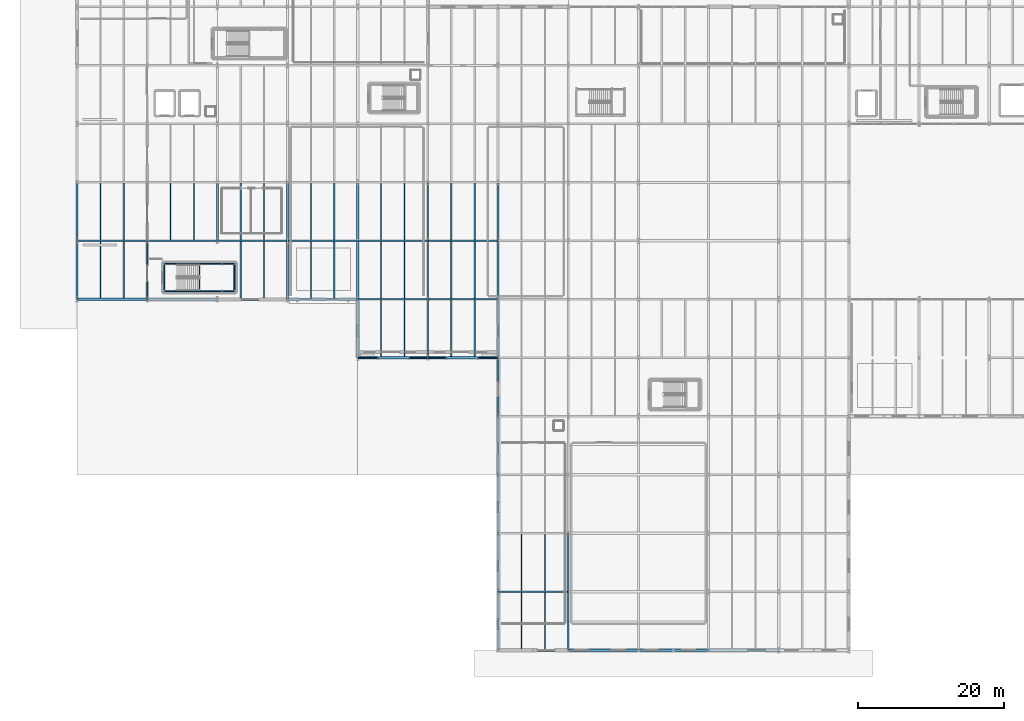
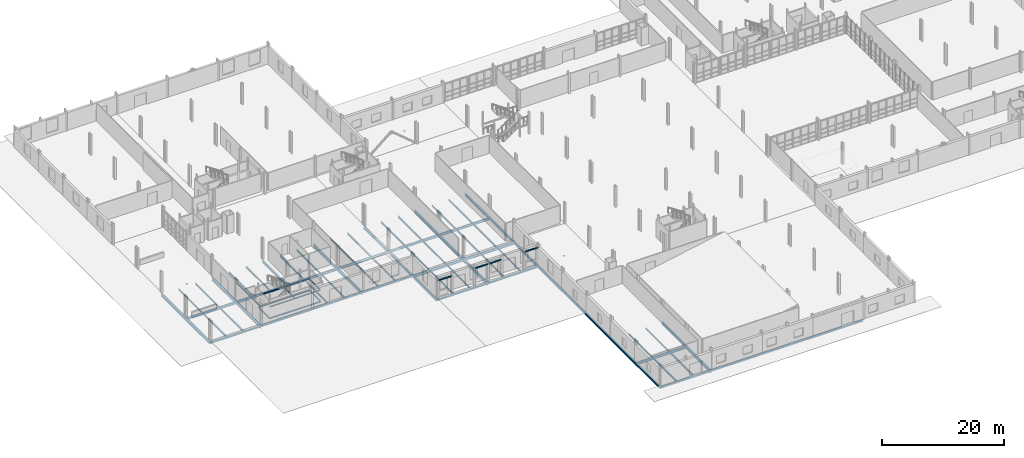
# One storey, part 30 of 78: 85 beams.
"""IFC4 building model written with IfcOpenShell, lengths in metres."""

from ifc_helpers import new_model, si_unit, direction, frame, origin, origin_2d, place, context, subcontext, project, spatial, i_section, extrude, material, material_profile, profile_set, type_object, element, save


model = new_model("IFC4")

# Units and contexts
model_context = context("Model", 3, precision=1e-05, world=origin(), true_north=direction((0.0, 1.0)))
body_context = subcontext(model_context, "Body", "Model", "MODEL_VIEW")
ifc_project = project(units=[si_unit("LENGTHUNIT", "METRE"), si_unit("AREAUNIT", "SQUARE_METRE"), si_unit("VOLUMEUNIT", "CUBIC_METRE"), si_unit("PLANEANGLEUNIT", "RADIAN"), si_unit("MASSUNIT", "GRAM", prefix="KILO")], contexts=[model_context])

# Site, building, storey
site_placement = place(None, origin())
site = spatial("IfcSite", under=ifc_project, at=site_placement, CompositionType="ELEMENT")
building_placement = place(site_placement, origin())
building = spatial("IfcBuilding", under=site, at=building_placement, Name="Alderhovde Museum", CompositionType="ELEMENT")
storey_placement = place(building_placement, origin())
storey = spatial("IfcBuildingStorey", under=building, at=storey_placement, Name="L00", CompositionType="ELEMENT", Elevation=0.0)

# Beams
ifc_material_1 = material(Name="Steel S355J2", Category="steel")
ifc_material_profile_1 = material_profile(ifc_material_1, i_section(OverallWidth=0.300048828125, OverallDepth=0.389892578125, WebThickness=0.010986328125, FlangeThickness=0.01904296875, FilletRadius=0.027099609375, at=origin_2d()), Name="HEA 400")
ifc_profile_set_1 = profile_set([ifc_material_profile_1], Name="Steel S355J2")
beam_type_1 = type_object("IfcBeamType", Name="BM-HEA400", PredefinedType="BEAM", material=ifc_profile_set_1)
for number, where, z_axis, x_axis, name in (
    (1, (9.60009765625, 48.0, -0.47509765625), (0.0, 1.0, 0.0), (-1.0, 0.0, 0.0), "L00 Grid Beam X=9.6 (48.0 TO 56.0)"),
    (2, (9.60009765625, 56.0, -0.47509765625), (0.0, 1.0, 0.0), (-1.0, 0.0, 0.0), "L00 Grid Beam X=9.6 (56.0 TO 64.0)"),
    (3, (28.800048828125, 56.0, -0.47509765625), (0.0, 1.0, 0.0), (-1.0, 0.0, 0.0), "L00 Grid Beam X=28.8 (56.0 TO 64.0)"),
    (4, (48.0, 40.0, -0.47509765625), (0.0, 1.0, 0.0), (-1.0, 0.0, 0.0), "L00 Grid Beam X=48.0 (40.0 TO 48.0)"),
    (5, (48.0, 48.0, -0.47509765625), (0.0, 1.0, 0.0), (-1.0, 0.0, 0.0), "L00 Grid Beam X=48.0 (48.0 TO 56.0)"),
    (6, (48.0, 56.0, -0.47509765625), (0.0, 1.0, 0.0), (-1.0, 0.0, 0.0), "L00 Grid Beam X=48.0 (56.0 TO 64.0)"),
    (7, (67.199951171875, 0.0, -0.47509765625), (0.0, 1.0, 0.0), (-1.0, 0.0, 0.0), "L00 Grid Beam X=67.2 (0.0 TO 8.0)"),
    (8, (67.199951171875, 8.0, -0.47509765625), (0.0, 1.0, 0.0), (-1.0, 0.0, 0.0), "L00 Grid Beam X=67.2 (8.0 TO 16.0)"),
    (9, (67.199951171875, 16.0, -0.47509765625), (0.0, 1.0, 0.0), (-1.0, 0.0, 0.0), "L00 Grid Beam X=67.2 (16.0 TO 24.0)"),
    (10, (67.199951171875, 24.0, -0.47509765625), (0.0, 1.0, 0.0), (-1.0, 0.0, 0.0), "L00 Grid Beam X=67.2 (24.0 TO 32.0)"),
    (11, (67.199951171875, 32.0, -0.47509765625), (0.0, 1.0, 0.0), (-1.0, 0.0, 0.0), "L00 Grid Beam X=67.2 (32.0 TO 40.0)"),
    (12, (67.199951171875, 40.0, -0.47509765625), (0.0, 1.0, 0.0), (-1.0, 0.0, 0.0), "L00 Grid Beam X=67.2 (40.0 TO 48.0)"),
    (13, (67.199951171875, 48.0, -0.47509765625), (0.0, 1.0, 0.0), (-1.0, 0.0, 0.0), "L00 Grid Beam X=67.2 (48.0 TO 56.0)"),
    (14, (67.199951171875, 56.0, -0.47509765625), (0.0, 1.0, 0.0), (-1.0, 0.0, 0.0), "L00 Grid Beam X=67.2 (56.0 TO 64.0)"),
):
    element("IfcBeam", number, at=place(storey_placement, frame(where, z_axis=z_axis, x_axis=x_axis)), inside=storey, type_object=beam_type_1, Name=name, PredefinedType="BEAM", context=body_context, shape_type="SweptSolid", body=[
        extrude(i_section(OverallWidth=0.300048828125, OverallDepth=0.389892578125, WebThickness=0.010986328125, FlangeThickness=0.01904296875, FilletRadius=0.027099609375, at=origin_2d()), origin(), (0.0, 0.0, 1.0), 8.0),
    ])
ifc_material_2 = material(Name="Steel S355J2", Category="steel")
ifc_material_profile_2 = material_profile(ifc_material_2, i_section(OverallWidth=0.1201171875, OverallDepth=0.239990234375, WebThickness=0.006103515625, FlangeThickness=0.009765625, FilletRadius=0.014892578125, at=origin_2d()), Name="IPE 240")
ifc_profile_set_2 = profile_set([ifc_material_profile_2], Name="Steel S355J2")
beam_type_2 = type_object("IfcBeamType", Name="BM-IPE240", PredefinedType="BEAM", material=ifc_profile_set_2)
for number, where, z_axis, x_axis, name in (
    (15, (21.52001953125, 49.1201171875, -0.39990234375), (1.0, 0.0, 0.0), (0.0, 1.0, 0.0), "L00 Stair ST1 Floor Trimmer S"),
    (16, (21.52001953125, 52.840087890625, -0.39990234375), (1.0, 0.0, 0.0), (0.0, 1.0, 0.0), "L00 Stair ST1 Floor Trimmer N"),
):
    element("IfcBeam", number, at=place(storey_placement, frame(where, z_axis=z_axis, x_axis=x_axis)), inside=storey, type_object=beam_type_2, Name=name, PredefinedType="BEAM", context=body_context, shape_type="SweptSolid", body=[
        extrude(i_section(OverallWidth=0.1201171875, OverallDepth=0.239990234375, WebThickness=0.006103515625, FlangeThickness=0.009765625, FilletRadius=0.014892578125, at=origin_2d()), origin(), (0.0, 0.0, 1.0), 9.679931640625),
    ])
for number, where, z_axis, x_axis, name in (
    (17, (21.52001953125, 49.1201171875, -0.39990234375), (0.0, 1.0, 0.0), (-1.0, 0.0, 0.0), "L00 Stair ST1 Floor Trimmer W"),
    (18, (31.199951171875, 49.1201171875, -0.39990234375), (0.0, 1.0, 0.0), (-1.0, 0.0, 0.0), "L00 Stair ST1 Floor Trimmer E"),
):
    element("IfcBeam", number, at=place(storey_placement, frame(where, z_axis=z_axis, x_axis=x_axis)), inside=storey, type_object=beam_type_2, Name=name, PredefinedType="BEAM", context=body_context, shape_type="SweptSolid", body=[
        extrude(i_section(OverallWidth=0.1201171875, OverallDepth=0.239990234375, WebThickness=0.006103515625, FlangeThickness=0.009765625, FilletRadius=0.014892578125, at=origin_2d()), origin(), (0.0, 0.0, 1.0), 3.719970703125),
    ])
for number, where, z_axis, x_axis, name in (
    (19, (21.52001953125, 49.1201171875, 1.929931640625), (1.0, 0.0, 0.0), (0.0, 1.0, 0.0), "L00 Stair ST1 Landing 1 Beam S"),
    (20, (21.52001953125, 52.840087890625, 1.929931640625), (1.0, 0.0, 0.0), (0.0, 1.0, 0.0), "L00 Stair ST1 Landing 1 Beam N"),
):
    element("IfcBeam", number, at=place(storey_placement, frame(where, z_axis=z_axis, x_axis=x_axis)), inside=storey, type_object=beam_type_2, Name=name, PredefinedType="BEAM", context=body_context, shape_type="SweptSolid", body=[
        extrude(i_section(OverallWidth=0.1201171875, OverallDepth=0.239990234375, WebThickness=0.006103515625, FlangeThickness=0.009765625, FilletRadius=0.014892578125, at=origin_2d()), origin(), (0.0, 0.0, 1.0), 9.679931640625),
    ])
for number, where, z_axis, x_axis, name in (
    (21, (26.360107421875, 49.1201171875, 1.929931640625), (0.0, 1.0, 0.0), (-1.0, 0.0, 0.0), "L00 Stair ST1 Landing 1 Beam W"),
    (22, (31.1201171875, 49.1201171875, 1.929931640625), (0.0, 1.0, 0.0), (-1.0, 0.0, 0.0), "L00 Stair ST1 Landing 1 Beam E"),
):
    element("IfcBeam", number, at=place(storey_placement, frame(where, z_axis=z_axis, x_axis=x_axis)), inside=storey, type_object=beam_type_2, Name=name, PredefinedType="BEAM", context=body_context, shape_type="SweptSolid", body=[
        extrude(i_section(OverallWidth=0.1201171875, OverallDepth=0.239990234375, WebThickness=0.006103515625, FlangeThickness=0.009765625, FilletRadius=0.014892578125, at=origin_2d()), origin(), (0.0, 0.0, 1.0), 3.719970703125),
    ])
ifc_material_3 = material(Name="Steel S355J2", Category="steel")
ifc_material_profile_3 = material_profile(ifc_material_3, i_section(OverallWidth=0.199951171875, OverallDepth=0.5, WebThickness=0.01025390625, FlangeThickness=0.01611328125, FilletRadius=0.02099609375, at=origin_2d()), Name="IPE 500")
ifc_profile_set_3 = profile_set([ifc_material_profile_3], Name="Steel S355J2")
beam_type_3 = type_object("IfcBeamType", Name="BM-IPE500", PredefinedType="BEAM", material=ifc_profile_set_3)
beam_1_placement = place(storey_placement, frame((67.199951171875, 8.0, -0.530029296875), z_axis=(1.0, 0.0, 0.0), x_axis=(0.0, 1.0, 0.0)))
element("IfcBeam", 23, at=beam_1_placement, inside=storey, type_object=beam_type_3, Name="L00 Grid Beam Y=8.0 (67.2 TO 76.8)", PredefinedType="BEAM", context=body_context, shape_type="SweptSolid", body=[
    extrude(i_section(OverallWidth=0.199951171875, OverallDepth=0.5, WebThickness=0.01025390625, FlangeThickness=0.01611328125, FilletRadius=0.02099609375, at=origin_2d()), origin(), (0.0, 0.0, 1.0), 9.60009765625),
])
beam_2_placement = place(storey_placement, frame((9.60009765625, 56.0, -0.530029296875), z_axis=(1.0, 0.0, 0.0), x_axis=(0.0, 1.0, 0.0)))
element("IfcBeam", 24, at=beam_2_placement, inside=storey, type_object=beam_type_3, Name="L00 Grid Beam Y=56.0 (9.6 TO 19.2)", PredefinedType="BEAM", context=body_context, shape_type="SweptSolid", body=[
    extrude(i_section(OverallWidth=0.199951171875, OverallDepth=0.5, WebThickness=0.01025390625, FlangeThickness=0.01611328125, FilletRadius=0.02099609375, at=origin_2d()), origin(), (0.0, 0.0, 1.0), 9.599853515625),
])
beam_3_placement = place(storey_placement, frame((19.199951171875, 56.0, -0.530029296875), z_axis=(1.0, 0.0, 0.0), x_axis=(0.0, 1.0, 0.0)))
element("IfcBeam", 25, at=beam_3_placement, inside=storey, type_object=beam_type_3, Name="L00 Grid Beam Y=56.0 (19.2 TO 28.8)", PredefinedType="BEAM", context=body_context, shape_type="SweptSolid", body=[
    extrude(i_section(OverallWidth=0.199951171875, OverallDepth=0.5, WebThickness=0.01025390625, FlangeThickness=0.01611328125, FilletRadius=0.02099609375, at=origin_2d()), origin(), (0.0, 0.0, 1.0), 9.60009765625),
])
beam_4_placement = place(storey_placement, frame((28.800048828125, 56.0, -0.530029296875), z_axis=(1.0, 0.0, 0.0), x_axis=(0.0, 1.0, 0.0)))
element("IfcBeam", 26, at=beam_4_placement, inside=storey, type_object=beam_type_3, Name="L00 Grid Beam Y=56.0 (28.8 TO 38.4)", PredefinedType="BEAM", context=body_context, shape_type="SweptSolid", body=[
    extrude(i_section(OverallWidth=0.199951171875, OverallDepth=0.5, WebThickness=0.01025390625, FlangeThickness=0.01611328125, FilletRadius=0.02099609375, at=origin_2d()), origin(), (0.0, 0.0, 1.0), 9.599853515625),
])
for number, where, z_axis, x_axis, name in (
    (27, (38.39990234375, 56.0, -0.530029296875), (1.0, 0.0, 0.0), (0.0, 1.0, 0.0), "L00 Grid Beam Y=56.0 (38.4 TO 48.0)"),
    (28, (48.0, 56.0, -0.530029296875), (1.0, 0.0, 0.0), (0.0, 1.0, 0.0), "L00 Grid Beam Y=56.0 (48.0 TO 57.6)"),
):
    element("IfcBeam", number, at=place(storey_placement, frame(where, z_axis=z_axis, x_axis=x_axis)), inside=storey, type_object=beam_type_3, Name=name, PredefinedType="BEAM", context=body_context, shape_type="SweptSolid", body=[
        extrude(i_section(OverallWidth=0.199951171875, OverallDepth=0.5, WebThickness=0.01025390625, FlangeThickness=0.01611328125, FilletRadius=0.02099609375, at=origin_2d()), origin(), (0.0, 0.0, 1.0), 9.60009765625),
    ])
beam_5_placement = place(storey_placement, frame((57.60009765625, 56.0, -0.530029296875), z_axis=(1.0, 0.0, 0.0), x_axis=(0.0, 1.0, 0.0)))
element("IfcBeam", 29, at=beam_5_placement, inside=storey, type_object=beam_type_3, Name="L00 Grid Beam Y=56.0 (57.6 TO 67.2)", PredefinedType="BEAM", context=body_context, shape_type="SweptSolid", body=[
    extrude(i_section(OverallWidth=0.199951171875, OverallDepth=0.5, WebThickness=0.01025390625, FlangeThickness=0.01611328125, FilletRadius=0.02099609375, at=origin_2d()), origin(), (0.0, 0.0, 1.0), 9.599853515625),
])
ifc_material_4 = material(Name="Steel S355J2", Category="steel")
ifc_material_profile_4 = material_profile(ifc_material_4, i_section(OverallWidth=0.2099609375, OverallDepth=0.550048828125, WebThickness=0.010986328125, FlangeThickness=0.01708984375, FilletRadius=0.02392578125, at=origin_2d()), Name="IPE 550")
ifc_profile_set_4 = profile_set([ifc_material_profile_4], Name="Steel S355J2")
beam_type_4 = type_object("IfcBeamType", Name="BM-IPE550", PredefinedType="BEAM", material=ifc_profile_set_4)
beam_6_placement = place(storey_placement, frame((48.0, 48.0, -0.554931640625), z_axis=(1.0, 0.0, 0.0), x_axis=(0.0, 1.0, 0.0)))
element("IfcBeam", 30, at=beam_6_placement, inside=storey, type_object=beam_type_4, Name="L00 Grid Beam Y=48.0 (48.0 TO 57.6)", PredefinedType="BEAM", context=body_context, shape_type="SweptSolid", body=[
    extrude(i_section(OverallWidth=0.2099609375, OverallDepth=0.550048828125, WebThickness=0.010986328125, FlangeThickness=0.01708984375, FilletRadius=0.02392578125, at=origin_2d()), origin(), (0.0, 0.0, 1.0), 9.60009765625),
])
beam_7_placement = place(storey_placement, frame((57.60009765625, 48.0, -0.554931640625), z_axis=(1.0, 0.0, 0.0), x_axis=(0.0, 1.0, 0.0)))
element("IfcBeam", 31, at=beam_7_placement, inside=storey, type_object=beam_type_4, Name="L00 Grid Beam Y=48.0 (57.6 TO 67.2)", PredefinedType="BEAM", context=body_context, shape_type="SweptSolid", body=[
    extrude(i_section(OverallWidth=0.2099609375, OverallDepth=0.550048828125, WebThickness=0.010986328125, FlangeThickness=0.01708984375, FilletRadius=0.02392578125, at=origin_2d()), origin(), (0.0, 0.0, 1.0), 9.599853515625),
])
ifc_material_5 = material(Name="Steel S355J2", Category="steel")
ifc_material_profile_5 = material_profile(ifc_material_5, i_section(OverallWidth=0.219970703125, OverallDepth=0.60009765625, WebThickness=0.011962890625, FlangeThickness=0.01904296875, FilletRadius=0.02392578125, at=origin_2d()), Name="IPE 600")
ifc_profile_set_5 = profile_set([ifc_material_profile_5], Name="Steel S355J2")
beam_type_5 = type_object("IfcBeamType", Name="BM-IPE600", PredefinedType="BEAM", material=ifc_profile_set_5)
for number, where, z_axis, x_axis, name in (
    (32, (19.199951171875, 48.0, -0.580078125), (0.0, 1.0, 0.0), (-1.0, 0.0, 0.0), "L00 Grid Beam X=19.2 (48.0 TO 56.0)"),
    (33, (19.199951171875, 56.0, -0.580078125), (0.0, 1.0, 0.0), (-1.0, 0.0, 0.0), "L00 Grid Beam X=19.2 (56.0 TO 64.0)"),
    (34, (38.39990234375, 48.0, -0.580078125), (0.0, 1.0, 0.0), (-1.0, 0.0, 0.0), "L00 Grid Beam X=38.4 (48.0 TO 56.0)"),
    (35, (38.39990234375, 56.0, -0.580078125), (0.0, 1.0, 0.0), (-1.0, 0.0, 0.0), "L00 Grid Beam X=38.4 (56.0 TO 64.0)"),
    (36, (57.60009765625, 40.0, -0.580078125), (0.0, 1.0, 0.0), (-1.0, 0.0, 0.0), "L00 Grid Beam X=57.6 (40.0 TO 48.0)"),
    (37, (57.60009765625, 48.0, -0.580078125), (0.0, 1.0, 0.0), (-1.0, 0.0, 0.0), "L00 Grid Beam X=57.6 (48.0 TO 56.0)"),
    (38, (57.60009765625, 56.0, -0.580078125), (0.0, 1.0, 0.0), (-1.0, 0.0, 0.0), "L00 Grid Beam X=57.6 (56.0 TO 64.0)"),
    (39, (76.800048828125, 0.0, -0.580078125), (0.0, 1.0, 0.0), (-1.0, 0.0, 0.0), "L00 Grid Beam X=76.8 (0.0 TO 8.0)"),
    (40, (76.800048828125, 8.0, -0.580078125), (0.0, 1.0, 0.0), (-1.0, 0.0, 0.0), "L00 Grid Beam X=76.8 (8.0 TO 16.0)"),
):
    element("IfcBeam", number, at=place(storey_placement, frame(where, z_axis=z_axis, x_axis=x_axis)), inside=storey, type_object=beam_type_5, Name=name, PredefinedType="BEAM", context=body_context, shape_type="SweptSolid", body=[
        extrude(i_section(OverallWidth=0.219970703125, OverallDepth=0.60009765625, WebThickness=0.011962890625, FlangeThickness=0.01904296875, FilletRadius=0.02392578125, at=origin_2d()), origin(), (0.0, 0.0, 1.0), 8.0),
    ])
ifc_material_6 = material(Name="Steel S355J2", Category="steel")
ifc_material_profile_6 = material_profile(ifc_material_6, i_section(OverallWidth=0.159912109375, OverallDepth=0.330078125, WebThickness=0.007568359375, FlangeThickness=0.011474609375, FilletRadius=0.01806640625, at=origin_2d()), Name="IPE 330")
ifc_profile_set_6 = profile_set([ifc_material_profile_6], Name="Steel S355J2")
beam_type_6 = type_object("IfcBeamType", Name="JST-IPE330", PredefinedType="JOIST", material=ifc_profile_set_6)
for number, where, z_axis, x_axis, name in (
    (41, (12.800048828125, 48.14990234375, -0.445068359375), (0.0, 1.0, 0.0), (-1.0, 0.0, 0.0), "L00 Composite Joist X=12.8 (48.0 TO 56.0)"),
    (42, (16.0, 48.14990234375, -0.445068359375), (0.0, 1.0, 0.0), (-1.0, 0.0, 0.0), "L00 Composite Joist X=16.0 (48.0 TO 56.0)"),
):
    element("IfcBeam", number, at=place(storey_placement, frame(where, z_axis=z_axis, x_axis=x_axis)), inside=storey, type_object=beam_type_6, Name=name, PredefinedType="JOIST", context=body_context, shape_type="SweptSolid", body=[
        extrude(i_section(OverallWidth=0.159912109375, OverallDepth=0.330078125, WebThickness=0.007568359375, FlangeThickness=0.011474609375, FilletRadius=0.01806640625, at=origin_2d()), origin(), (0.0, 0.0, 1.0), 7.75),
    ])
for number, where, z_axis, x_axis, name in (
    (43, (12.800048828125, 56.10009765625, -0.445068359375), (0.0, 1.0, 0.0), (-1.0, 0.0, 0.0), "L00 Composite Joist X=12.8 (56.0 TO 64.0)"),
    (44, (16.0, 56.10009765625, -0.445068359375), (0.0, 1.0, 0.0), (-1.0, 0.0, 0.0), "L00 Composite Joist X=16.0 (56.0 TO 64.0)"),
    (45, (22.39990234375, 56.10009765625, -0.445068359375), (0.0, 1.0, 0.0), (-1.0, 0.0, 0.0), "L00 Composite Joist X=22.4 (56.0 TO 64.0)"),
    (46, (25.60009765625, 56.10009765625, -0.445068359375), (0.0, 1.0, 0.0), (-1.0, 0.0, 0.0), "L00 Composite Joist X=25.6 (56.0 TO 64.0)"),
):
    element("IfcBeam", number, at=place(storey_placement, frame(where, z_axis=z_axis, x_axis=x_axis)), inside=storey, type_object=beam_type_6, Name=name, PredefinedType="JOIST", context=body_context, shape_type="SweptSolid", body=[
        extrude(i_section(OverallWidth=0.159912109375, OverallDepth=0.330078125, WebThickness=0.007568359375, FlangeThickness=0.011474609375, FilletRadius=0.01806640625, at=origin_2d()), origin(), (0.0, 0.0, 1.0), 7.794921875),
    ])
for number, where, z_axis, x_axis, name in (
    (47, (32.0, 48.14990234375, -0.445068359375), (0.0, 1.0, 0.0), (-1.0, 0.0, 0.0), "L00 Composite Joist X=32.0 (48.0 TO 56.0)"),
    (48, (35.199951171875, 48.14990234375, -0.445068359375), (0.0, 1.0, 0.0), (-1.0, 0.0, 0.0), "L00 Composite Joist X=35.2 (48.0 TO 56.0)"),
):
    element("IfcBeam", number, at=place(storey_placement, frame(where, z_axis=z_axis, x_axis=x_axis)), inside=storey, type_object=beam_type_6, Name=name, PredefinedType="JOIST", context=body_context, shape_type="SweptSolid", body=[
        extrude(i_section(OverallWidth=0.159912109375, OverallDepth=0.330078125, WebThickness=0.007568359375, FlangeThickness=0.011474609375, FilletRadius=0.01806640625, at=origin_2d()), origin(), (0.0, 0.0, 1.0), 7.75),
    ])
for number, where, z_axis, x_axis, name in (
    (49, (32.0, 56.10009765625, -0.445068359375), (0.0, 1.0, 0.0), (-1.0, 0.0, 0.0), "L00 Composite Joist X=32.0 (56.0 TO 64.0)"),
    (50, (35.199951171875, 56.10009765625, -0.445068359375), (0.0, 1.0, 0.0), (-1.0, 0.0, 0.0), "L00 Composite Joist X=35.2 (56.0 TO 64.0)"),
):
    element("IfcBeam", number, at=place(storey_placement, frame(where, z_axis=z_axis, x_axis=x_axis)), inside=storey, type_object=beam_type_6, Name=name, PredefinedType="JOIST", context=body_context, shape_type="SweptSolid", body=[
        extrude(i_section(OverallWidth=0.159912109375, OverallDepth=0.330078125, WebThickness=0.007568359375, FlangeThickness=0.011474609375, FilletRadius=0.01806640625, at=origin_2d()), origin(), (0.0, 0.0, 1.0), 7.794921875),
    ])
for number, where, z_axis, x_axis, name in (
    (51, (41.60009765625, 48.14990234375, -0.445068359375), (0.0, 1.0, 0.0), (-1.0, 0.0, 0.0), "L00 Composite Joist X=41.6 (48.0 TO 56.0)"),
    (52, (44.800048828125, 48.14990234375, -0.445068359375), (0.0, 1.0, 0.0), (-1.0, 0.0, 0.0), "L00 Composite Joist X=44.8 (48.0 TO 56.0)"),
):
    element("IfcBeam", number, at=place(storey_placement, frame(where, z_axis=z_axis, x_axis=x_axis)), inside=storey, type_object=beam_type_6, Name=name, PredefinedType="JOIST", context=body_context, shape_type="SweptSolid", body=[
        extrude(i_section(OverallWidth=0.159912109375, OverallDepth=0.330078125, WebThickness=0.007568359375, FlangeThickness=0.011474609375, FilletRadius=0.01806640625, at=origin_2d()), origin(), (0.0, 0.0, 1.0), 7.75),
    ])
for number, where, z_axis, x_axis, name in (
    (53, (41.60009765625, 56.10009765625, -0.445068359375), (0.0, 1.0, 0.0), (-1.0, 0.0, 0.0), "L00 Composite Joist X=41.6 (56.0 TO 64.0)"),
    (54, (44.800048828125, 56.10009765625, -0.445068359375), (0.0, 1.0, 0.0), (-1.0, 0.0, 0.0), "L00 Composite Joist X=44.8 (56.0 TO 64.0)"),
):
    element("IfcBeam", number, at=place(storey_placement, frame(where, z_axis=z_axis, x_axis=x_axis)), inside=storey, type_object=beam_type_6, Name=name, PredefinedType="JOIST", context=body_context, shape_type="SweptSolid", body=[
        extrude(i_section(OverallWidth=0.159912109375, OverallDepth=0.330078125, WebThickness=0.007568359375, FlangeThickness=0.011474609375, FilletRadius=0.01806640625, at=origin_2d()), origin(), (0.0, 0.0, 1.0), 7.794921875),
    ])
for number, where, z_axis, x_axis, name in (
    (55, (51.199951171875, 40.14990234375, -0.445068359375), (0.0, 1.0, 0.0), (-1.0, 0.0, 0.0), "L00 Composite Joist X=51.2 (40.0 TO 48.0)"),
    (56, (54.39990234375, 40.14990234375, -0.445068359375), (0.0, 1.0, 0.0), (-1.0, 0.0, 0.0), "L00 Composite Joist X=54.4 (40.0 TO 48.0)"),
):
    element("IfcBeam", number, at=place(storey_placement, frame(where, z_axis=z_axis, x_axis=x_axis)), inside=storey, type_object=beam_type_6, Name=name, PredefinedType="JOIST", context=body_context, shape_type="SweptSolid", body=[
        extrude(i_section(OverallWidth=0.159912109375, OverallDepth=0.330078125, WebThickness=0.007568359375, FlangeThickness=0.011474609375, FilletRadius=0.01806640625, at=origin_2d()), origin(), (0.0, 0.0, 1.0), 7.7451171875),
    ])
for number, where, z_axis, x_axis, name in (
    (57, (51.199951171875, 48.10498046875, -0.445068359375), (0.0, 1.0, 0.0), (-1.0, 0.0, 0.0), "L00 Composite Joist X=51.2 (48.0 TO 56.0)"),
    (58, (54.39990234375, 48.10498046875, -0.445068359375), (0.0, 1.0, 0.0), (-1.0, 0.0, 0.0), "L00 Composite Joist X=54.4 (48.0 TO 56.0)"),
    (59, (51.199951171875, 56.10009765625, -0.445068359375), (0.0, 1.0, 0.0), (-1.0, 0.0, 0.0), "L00 Composite Joist X=51.2 (56.0 TO 64.0)"),
    (60, (54.39990234375, 56.10009765625, -0.445068359375), (0.0, 1.0, 0.0), (-1.0, 0.0, 0.0), "L00 Composite Joist X=54.4 (56.0 TO 64.0)"),
):
    element("IfcBeam", number, at=place(storey_placement, frame(where, z_axis=z_axis, x_axis=x_axis)), inside=storey, type_object=beam_type_6, Name=name, PredefinedType="JOIST", context=body_context, shape_type="SweptSolid", body=[
        extrude(i_section(OverallWidth=0.159912109375, OverallDepth=0.330078125, WebThickness=0.007568359375, FlangeThickness=0.011474609375, FilletRadius=0.01806640625, at=origin_2d()), origin(), (0.0, 0.0, 1.0), 7.794921875),
    ])
for number, where, z_axis, x_axis, name in (
    (61, (60.800048828125, 40.14990234375, -0.445068359375), (0.0, 1.0, 0.0), (-1.0, 0.0, 0.0), "L00 Composite Joist X=60.8 (40.0 TO 48.0)"),
    (62, (64.0, 40.14990234375, -0.445068359375), (0.0, 1.0, 0.0), (-1.0, 0.0, 0.0), "L00 Composite Joist X=64.0 (40.0 TO 48.0)"),
):
    element("IfcBeam", number, at=place(storey_placement, frame(where, z_axis=z_axis, x_axis=x_axis)), inside=storey, type_object=beam_type_6, Name=name, PredefinedType="JOIST", context=body_context, shape_type="SweptSolid", body=[
        extrude(i_section(OverallWidth=0.159912109375, OverallDepth=0.330078125, WebThickness=0.007568359375, FlangeThickness=0.011474609375, FilletRadius=0.01806640625, at=origin_2d()), origin(), (0.0, 0.0, 1.0), 7.7451171875),
    ])
for number, where, z_axis, x_axis, name in (
    (63, (60.800048828125, 48.10498046875, -0.445068359375), (0.0, 1.0, 0.0), (-1.0, 0.0, 0.0), "L00 Composite Joist X=60.8 (48.0 TO 56.0)"),
    (64, (64.0, 48.10498046875, -0.445068359375), (0.0, 1.0, 0.0), (-1.0, 0.0, 0.0), "L00 Composite Joist X=64.0 (48.0 TO 56.0)"),
    (65, (60.800048828125, 56.10009765625, -0.445068359375), (0.0, 1.0, 0.0), (-1.0, 0.0, 0.0), "L00 Composite Joist X=60.8 (56.0 TO 64.0)"),
    (66, (64.0, 56.10009765625, -0.445068359375), (0.0, 1.0, 0.0), (-1.0, 0.0, 0.0), "L00 Composite Joist X=64.0 (56.0 TO 64.0)"),
):
    element("IfcBeam", number, at=place(storey_placement, frame(where, z_axis=z_axis, x_axis=x_axis)), inside=storey, type_object=beam_type_6, Name=name, PredefinedType="JOIST", context=body_context, shape_type="SweptSolid", body=[
        extrude(i_section(OverallWidth=0.159912109375, OverallDepth=0.330078125, WebThickness=0.007568359375, FlangeThickness=0.011474609375, FilletRadius=0.01806640625, at=origin_2d()), origin(), (0.0, 0.0, 1.0), 7.794921875),
    ])
for number, where, z_axis, x_axis, name in (
    (67, (70.39990234375, 0.14990234375, -0.445068359375), (0.0, 1.0, 0.0), (-1.0, 0.0, 0.0), "L00 Composite Joist X=70.4 (0.0 TO 8.0)"),
    (68, (73.60009765625, 0.14990234375, -0.445068359375), (0.0, 1.0, 0.0), (-1.0, 0.0, 0.0), "L00 Composite Joist X=73.6 (0.0 TO 8.0)"),
):
    element("IfcBeam", number, at=place(storey_placement, frame(where, z_axis=z_axis, x_axis=x_axis)), inside=storey, type_object=beam_type_6, Name=name, PredefinedType="JOIST", context=body_context, shape_type="SweptSolid", body=[
        extrude(i_section(OverallWidth=0.159912109375, OverallDepth=0.330078125, WebThickness=0.007568359375, FlangeThickness=0.011474609375, FilletRadius=0.01806640625, at=origin_2d()), origin(), (0.0, 0.0, 1.0), 7.75),
    ])
for number, where, z_axis, x_axis, name in (
    (69, (70.39990234375, 8.10009765625, -0.445068359375), (0.0, 1.0, 0.0), (-1.0, 0.0, 0.0), "L00 Composite Joist X=70.4 (8.0 TO 16.0)"),
    (70, (73.60009765625, 8.10009765625, -0.445068359375), (0.0, 1.0, 0.0), (-1.0, 0.0, 0.0), "L00 Composite Joist X=73.6 (8.0 TO 16.0)"),
):
    element("IfcBeam", number, at=place(storey_placement, frame(where, z_axis=z_axis, x_axis=x_axis)), inside=storey, type_object=beam_type_6, Name=name, PredefinedType="JOIST", context=body_context, shape_type="SweptSolid", body=[
        extrude(i_section(OverallWidth=0.159912109375, OverallDepth=0.330078125, WebThickness=0.007568359375, FlangeThickness=0.011474609375, FilletRadius=0.01806640625, at=origin_2d()), origin(), (0.0, 0.0, 1.0), 7.794921875),
    ])
ifc_material_7 = material(Name="Steel S355J2", Category="steel")
ifc_material_profile_7 = material_profile(ifc_material_7, i_section(OverallWidth=0.091064453125, OverallDepth=0.179931640625, WebThickness=0.00537109375, FlangeThickness=0.008056640625, FilletRadius=0.009033203125, at=origin_2d()), Name="IPE 180")
ifc_profile_set_7 = profile_set([ifc_material_profile_7], Name="Steel S355J2")
beam_type_7 = type_object("IfcBeamType", Name="LNT-IPE180", PredefinedType="LINTEL", material=ifc_profile_set_7)
beam_8_placement = place(storey_placement, frame((57.60009765625, 40.0, 3.389892578125), z_axis=(1.0, 0.0, 0.0), x_axis=(0.0, 1.0, 0.0)))
element("IfcBeam", 71, at=beam_8_placement, inside=storey, type_object=beam_type_7, Name="L00 Portal Lintel 3", PredefinedType="LINTEL", context=body_context, shape_type="SweptSolid", body=[
    extrude(i_section(OverallWidth=0.091064453125, OverallDepth=0.179931640625, WebThickness=0.00537109375, FlangeThickness=0.008056640625, FilletRadius=0.009033203125, at=origin_2d()), origin(), (0.0, 0.0, 1.0), 2.599853515625),
])
beam_9_placement = place(storey_placement, frame((64.39990234375, 40.0, 3.389892578125), z_axis=(1.0, 0.0, 0.0), x_axis=(0.0, 1.0, 0.0)))
element("IfcBeam", 72, at=beam_9_placement, inside=storey, type_object=beam_type_7, Name="L00 Portal Lintel 4", PredefinedType="LINTEL", context=body_context, shape_type="SweptSolid", body=[
    extrude(i_section(OverallWidth=0.091064453125, OverallDepth=0.179931640625, WebThickness=0.00537109375, FlangeThickness=0.008056640625, FilletRadius=0.009033203125, at=origin_2d()), origin(), (0.0, 0.0, 1.0), 2.800048828125),
])
ifc_material_8 = material(Name="Steel S355J2", Category="steel")
ifc_material_profile_8 = material_profile(ifc_material_8, i_section(OverallWidth=0.10009765625, OverallDepth=0.199951171875, WebThickness=0.005615234375, FlangeThickness=0.008544921875, FilletRadius=0.011962890625, at=origin_2d()), Name="IPE 200")
ifc_profile_set_8 = profile_set([ifc_material_profile_8], Name="Steel S355J2")
beam_type_8 = type_object("IfcBeamType", Name="LNT-IPE200", PredefinedType="LINTEL", material=ifc_profile_set_8)
beam_10_placement = place(storey_placement, frame((48.0, 40.0, 3.39990234375), z_axis=(1.0, 0.0, 0.0), x_axis=(0.0, 1.0, 0.0)))
element("IfcBeam", 73, at=beam_10_placement, inside=storey, type_object=beam_type_8, Name="L00 Portal Lintel 1", PredefinedType="LINTEL", context=body_context, shape_type="SweptSolid", body=[
    extrude(i_section(OverallWidth=0.10009765625, OverallDepth=0.199951171875, WebThickness=0.005615234375, FlangeThickness=0.008544921875, FilletRadius=0.011962890625, at=origin_2d()), origin(), (0.0, 0.0, 1.0), 2.800048828125),
])
beam_11_placement = place(storey_placement, frame((55.0, 40.0, 3.39990234375), z_axis=(1.0, 0.0, 0.0), x_axis=(0.0, 1.0, 0.0)))
element("IfcBeam", 74, at=beam_11_placement, inside=storey, type_object=beam_type_8, Name="L00 Portal Lintel 2", PredefinedType="LINTEL", context=body_context, shape_type="SweptSolid", body=[
    extrude(i_section(OverallWidth=0.10009765625, OverallDepth=0.199951171875, WebThickness=0.005615234375, FlangeThickness=0.008544921875, FilletRadius=0.011962890625, at=origin_2d()), origin(), (0.0, 0.0, 1.0), 2.60009765625),
])
beam_12_placement = place(storey_placement, frame((19.199951171875, 48.0, 3.39990234375), z_axis=(0.0, 1.0, 0.0), x_axis=(-1.0, 0.0, 0.0)))
element("IfcBeam", 75, at=beam_12_placement, inside=storey, type_object=beam_type_8, Name="L00 Portal Lintel 5", PredefinedType="LINTEL", context=body_context, shape_type="SweptSolid", body=[
    extrude(i_section(OverallWidth=0.10009765625, OverallDepth=0.199951171875, WebThickness=0.005615234375, FlangeThickness=0.008544921875, FilletRadius=0.011962890625, at=origin_2d()), origin(), (0.0, 0.0, 1.0), 8.0),
])
ifc_material_9 = material(Name="Steel S355J2", Category="steel")
ifc_material_profile_9 = material_profile(ifc_material_9, i_section(OverallWidth=0.300048828125, OverallDepth=0.2900390625, WebThickness=0.008544921875, FlangeThickness=0.013916015625, FilletRadius=0.027099609375, at=origin_2d()), Name="HEA 300")
ifc_profile_set_9 = profile_set([ifc_material_profile_9], Name="Steel S355J2")
beam_type_9 = type_object("IfcBeamType", Name="SPD-HEA300", PredefinedType="SPANDREL", material=ifc_profile_set_9)
beam_13_placement = place(storey_placement, frame((67.199951171875, 0.0, -0.425048828125), z_axis=(1.0, 0.0, 0.0), x_axis=(0.0, 1.0, 0.0)))
element("IfcBeam", 76, at=beam_13_placement, inside=storey, type_object=beam_type_9, Name="L00 Grid Beam Y=0.0 (67.2 TO 76.8)", PredefinedType="SPANDREL", context=body_context, shape_type="SweptSolid", body=[
    extrude(i_section(OverallWidth=0.300048828125, OverallDepth=0.2900390625, WebThickness=0.008544921875, FlangeThickness=0.013916015625, FilletRadius=0.027099609375, at=origin_2d()), origin(), (0.0, 0.0, 1.0), 9.60009765625),
])
beam_14_placement = place(storey_placement, frame((76.800048828125, 0.0, -0.425048828125), z_axis=(1.0, 0.0, 0.0), x_axis=(0.0, 1.0, 0.0)))
element("IfcBeam", 77, at=beam_14_placement, inside=storey, type_object=beam_type_9, Name="L00 Grid Beam Y=0.0 (76.8 TO 86.4)", PredefinedType="SPANDREL", context=body_context, shape_type="SweptSolid", body=[
    extrude(i_section(OverallWidth=0.300048828125, OverallDepth=0.2900390625, WebThickness=0.008544921875, FlangeThickness=0.013916015625, FilletRadius=0.027099609375, at=origin_2d()), origin(), (0.0, 0.0, 1.0), 9.599853515625),
])
for number, where, z_axis, x_axis, name in (
    (78, (86.39990234375, 0.0, -0.425048828125), (1.0, 0.0, 0.0), (0.0, 1.0, 0.0), "L00 Grid Beam Y=0.0 (86.4 TO 96.0)"),
    (79, (96.0, 0.0, -0.425048828125), (1.0, 0.0, 0.0), (0.0, 1.0, 0.0), "L00 Grid Beam Y=0.0 (96.0 TO 105.6)"),
    (80, (48.0, 40.0, -0.425048828125), (1.0, 0.0, 0.0), (0.0, 1.0, 0.0), "L00 Grid Beam Y=40.0 (48.0 TO 57.6)"),
):
    element("IfcBeam", number, at=place(storey_placement, frame(where, z_axis=z_axis, x_axis=x_axis)), inside=storey, type_object=beam_type_9, Name=name, PredefinedType="SPANDREL", context=body_context, shape_type="SweptSolid", body=[
        extrude(i_section(OverallWidth=0.300048828125, OverallDepth=0.2900390625, WebThickness=0.008544921875, FlangeThickness=0.013916015625, FilletRadius=0.027099609375, at=origin_2d()), origin(), (0.0, 0.0, 1.0), 9.60009765625),
    ])
for number, where, z_axis, x_axis, name in (
    (81, (57.60009765625, 40.0, -0.425048828125), (1.0, 0.0, 0.0), (0.0, 1.0, 0.0), "L00 Grid Beam Y=40.0 (57.6 TO 67.2)"),
    (82, (9.60009765625, 48.0, -0.425048828125), (1.0, 0.0, 0.0), (0.0, 1.0, 0.0), "L00 Grid Beam Y=48.0 (9.6 TO 19.2)"),
):
    element("IfcBeam", number, at=place(storey_placement, frame(where, z_axis=z_axis, x_axis=x_axis)), inside=storey, type_object=beam_type_9, Name=name, PredefinedType="SPANDREL", context=body_context, shape_type="SweptSolid", body=[
        extrude(i_section(OverallWidth=0.300048828125, OverallDepth=0.2900390625, WebThickness=0.008544921875, FlangeThickness=0.013916015625, FilletRadius=0.027099609375, at=origin_2d()), origin(), (0.0, 0.0, 1.0), 9.599853515625),
    ])
beam_15_placement = place(storey_placement, frame((19.199951171875, 48.0, -0.425048828125), z_axis=(1.0, 0.0, 0.0), x_axis=(0.0, 1.0, 0.0)))
element("IfcBeam", 83, at=beam_15_placement, inside=storey, type_object=beam_type_9, Name="L00 Grid Beam Y=48.0 (19.2 TO 28.8)", PredefinedType="SPANDREL", context=body_context, shape_type="SweptSolid", body=[
    extrude(i_section(OverallWidth=0.300048828125, OverallDepth=0.2900390625, WebThickness=0.008544921875, FlangeThickness=0.013916015625, FilletRadius=0.027099609375, at=origin_2d()), origin(), (0.0, 0.0, 1.0), 9.60009765625),
])
beam_16_placement = place(storey_placement, frame((28.800048828125, 48.0, -0.425048828125), z_axis=(1.0, 0.0, 0.0), x_axis=(0.0, 1.0, 0.0)))
element("IfcBeam", 84, at=beam_16_placement, inside=storey, type_object=beam_type_9, Name="L00 Grid Beam Y=48.0 (28.8 TO 38.4)", PredefinedType="SPANDREL", context=body_context, shape_type="SweptSolid", body=[
    extrude(i_section(OverallWidth=0.300048828125, OverallDepth=0.2900390625, WebThickness=0.008544921875, FlangeThickness=0.013916015625, FilletRadius=0.027099609375, at=origin_2d()), origin(), (0.0, 0.0, 1.0), 9.599853515625),
])
beam_17_placement = place(storey_placement, frame((38.39990234375, 48.0, -0.425048828125), z_axis=(1.0, 0.0, 0.0), x_axis=(0.0, 1.0, 0.0)))
element("IfcBeam", 85, at=beam_17_placement, inside=storey, type_object=beam_type_9, Name="L00 Grid Beam Y=48.0 (38.4 TO 48.0)", PredefinedType="SPANDREL", context=body_context, shape_type="SweptSolid", body=[
    extrude(i_section(OverallWidth=0.300048828125, OverallDepth=0.2900390625, WebThickness=0.008544921875, FlangeThickness=0.013916015625, FilletRadius=0.027099609375, at=origin_2d()), origin(), (0.0, 0.0, 1.0), 9.60009765625),
])

save(model, "model.ifc")
